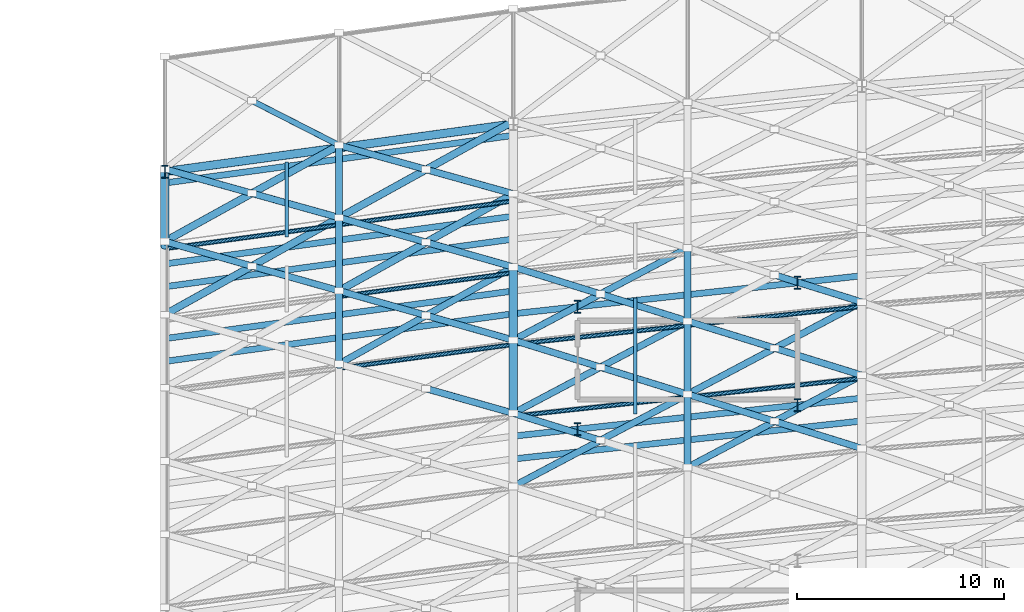
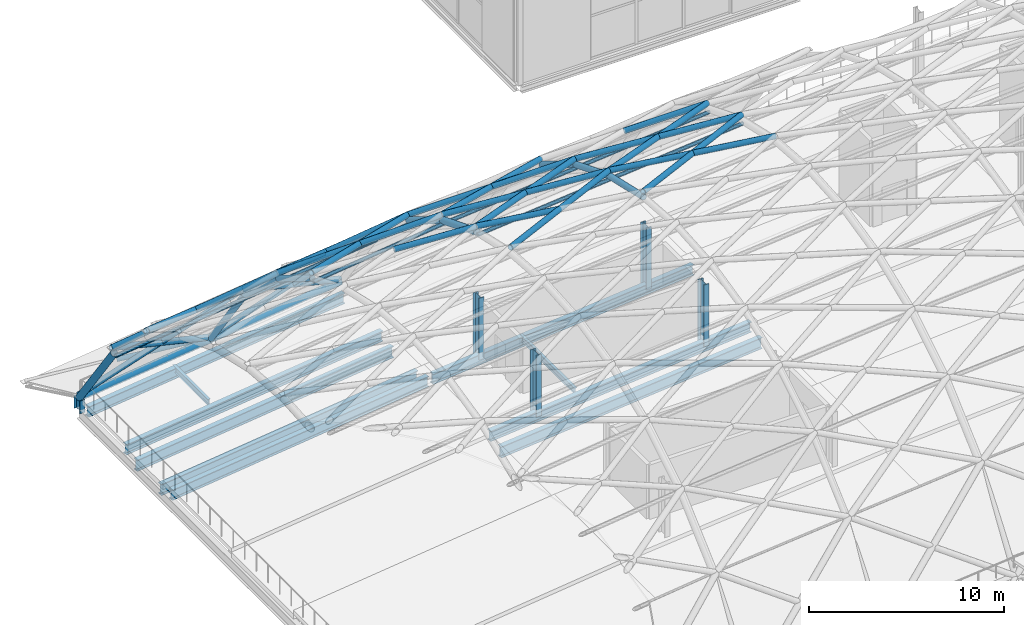
# One storey, part 23 of 100: 56 members, 10 beams.
"""IFC4 building model written with IfcOpenShell, lengths in metres."""

from ifc_helpers import new_model, si_unit, direction, frame, origin, origin_2d, place, context, subcontext, project, spatial, hollow_circle, i_section, extrude, material, material_profile, profile_set, type_object, element, save


model = new_model("IFC4")

# Units and contexts
model_context = context("Model", 3, precision=1e-05, world=origin(), true_north=direction((0.0, 1.0)))
body_context = subcontext(model_context, "Body", "Model", "MODEL_VIEW")
ifc_project = project(units=[si_unit("LENGTHUNIT", "METRE"), si_unit("AREAUNIT", "SQUARE_METRE"), si_unit("VOLUMEUNIT", "CUBIC_METRE"), si_unit("PLANEANGLEUNIT", "RADIAN"), si_unit("MASSUNIT", "GRAM", prefix="KILO")], contexts=[model_context])

# Site, building, storey
site_placement = place(None, origin())
site = spatial("IfcSite", under=ifc_project, at=site_placement, CompositionType="ELEMENT")
building_placement = place(site_placement, origin())
building = spatial("IfcBuilding", under=site, at=building_placement, Name="Kimbaza Rail Terminus", CompositionType="ELEMENT")
storey_placement = place(building_placement, frame((0.0, 0.0, 10.800048828125)))
storey = spatial("IfcBuildingStorey", under=building, at=storey_placement, Name="L02", CompositionType="ELEMENT", Elevation=10.800048828125)

# Beams
ifc_material_1 = material(Name="Steel S355", Category="steel")
ifc_material_profile_1 = material_profile(ifc_material_1, i_section(OverallWidth=0.300048828125, OverallDepth=0.64990234375, WebThickness=0.01611328125, FlangeThickness=0.031005859375, FilletRadius=0.027099609375, at=origin_2d()), Name="HEB 650")
ifc_profile_set_1 = profile_set([ifc_material_profile_1], Name="Steel S355")
beam_type_1 = type_object("IfcBeamType", Name="STR-BM-HEB650", PredefinedType="USERDEFINED", material=ifc_profile_set_1)
for number, where, z_axis, x_axis, name in (
    (1, (21.74365234375, 80.74560546875, -0.5849609375), (0.990777321611, 0.135500180745, 0.0), (-0.135500180745, 0.990777321611, 0.0), "Viaduct Chorded Girder P3 Bay 01"),
    (2, (21.74365234375, 85.445556640625, -0.5849609375), (0.990777321611, 0.135500180745, 0.0), (-0.135500180745, 0.990777321611, 0.0), "Viaduct Chorded Girder P4 Bay 01"),
    (3, (21.74365234375, 89.345703125, -0.5849609375), (0.990777321611, 0.135500180745, 0.0), (-0.135500180745, 0.990777321611, 0.0), "Viaduct Chorded Girder P4 Bay 01"),
):
    element("IfcBeam", number, at=place(storey_placement, frame(where, z_axis=z_axis, x_axis=x_axis)), inside=storey, type_object=beam_type_1, Name=name, ObjectType="GIRDER", PredefinedType="USERDEFINED", context=body_context, shape_type="SweptSolid", body=[
        extrude(i_section(OverallWidth=0.300048828125, OverallDepth=0.64990234375, WebThickness=0.01611328125, FlangeThickness=0.031005859375, FilletRadius=0.027099609375, at=origin_2d()), origin(), (0.0, 0.0, 1.0), 16.66650390625),
    ])
for number, where, z_axis, x_axis, name in (
    (4, (38.544189453125, 77.139404296875, -0.5849609375), (0.994108571086, 0.108388878093, 0.0), (-0.108388878093, 0.994108571086, 0.0), "Viaduct Chorded Girder P3 Bay 02"),
    (5, (38.544189453125, 83.039306640625, -0.5849609375), (0.994108571086, 0.108388878093, 0.0), (-0.108388878093, 0.994108571086, 0.0), "Viaduct Chorded Girder P3 Bay 02"),
):
    element("IfcBeam", number, at=place(storey_placement, frame(where, z_axis=z_axis, x_axis=x_axis)), inside=storey, type_object=beam_type_1, Name=name, ObjectType="GIRDER", PredefinedType="USERDEFINED", context=body_context, shape_type="SweptSolid", body=[
        extrude(i_section(OverallWidth=0.300048828125, OverallDepth=0.64990234375, WebThickness=0.01611328125, FlangeThickness=0.031005859375, FilletRadius=0.027099609375, at=origin_2d()), origin(), (0.0, 0.0, 1.0), 16.609619140625),
    ])
ifc_material_2 = material(Name="Steel S355", Category="steel")
ifc_material_profile_2 = material_profile(ifc_material_2, i_section(OverallWidth=0.300048828125, OverallDepth=0.699951171875, WebThickness=0.01708984375, FlangeThickness=0.031982421875, FilletRadius=0.027099609375, at=origin_2d()), Name="HEB 700")
ifc_profile_set_2 = profile_set([ifc_material_profile_2], Name="Steel S355")
beam_type_2 = type_object("IfcBeamType", Name="STR-BM-HEB700", PredefinedType="USERDEFINED", material=ifc_profile_set_2)
for number, where, z_axis, x_axis, name in (
    (6, (21.74365234375, 81.845703125, -0.920166015625), (0.990777321611, 0.135500180745, 0.0), (-0.135500180745, 0.990777321611, 0.0), "Viaduct Chorded Girder TR56 Bay 01"),
    (7, (21.74365234375, 84.345703125, -0.920166015625), (0.990777321611, 0.135500180745, 0.0), (-0.135500180745, 0.990777321611, 0.0), "Viaduct Chorded Girder TR56 Bay 01"),
):
    element("IfcBeam", number, at=place(storey_placement, frame(where, z_axis=z_axis, x_axis=x_axis)), inside=storey, type_object=beam_type_2, Name=name, ObjectType="GIRDER", PredefinedType="USERDEFINED", context=body_context, shape_type="SweptSolid", body=[
        extrude(i_section(OverallWidth=0.300048828125, OverallDepth=0.699951171875, WebThickness=0.01708984375, FlangeThickness=0.031982421875, FilletRadius=0.027099609375, at=origin_2d()), origin(), (0.0, 0.0, 1.0), 16.66650390625),
    ])
beam_1_placement = place(storey_placement, frame((38.544189453125, 76.039306640625, -0.920166015625), z_axis=(0.994108571086, 0.108388878093, 0.0), x_axis=(-0.108388878093, 0.994108571086, 0.0)))
element("IfcBeam", 8, at=beam_1_placement, inside=storey, type_object=beam_type_2, Name="Viaduct Chorded Girder TR34 Bay 02", ObjectType="GIRDER", PredefinedType="USERDEFINED", context=body_context, shape_type="SweptSolid", body=[
    extrude(i_section(OverallWidth=0.300048828125, OverallDepth=0.699951171875, WebThickness=0.01708984375, FlangeThickness=0.031982421875, FilletRadius=0.027099609375, at=origin_2d()), origin(), (0.0, 0.0, 1.0), 16.609619140625),
])
ifc_material_3 = material(Name="Steel S355", Category="steel")
ifc_material_profile_3 = material_profile(ifc_material_3, i_section(OverallWidth=0.169921875, OverallDepth=0.360107421875, WebThickness=0.008056640625, FlangeThickness=0.0126953125, FilletRadius=0.01806640625, at=origin_2d()), Name="IPE 360")
ifc_profile_set_3 = profile_set([ifc_material_profile_3], Name="Steel S355")
beam_type_3 = type_object("IfcBeamType", Name="STR-BM-IPE360", PredefinedType="JOIST", material=ifc_profile_set_3)
beam_2_placement = place(storey_placement, frame((27.47998046875, 86.7197265625, -0.43994140625), z_axis=(0.0, 1.0, 0.0), x_axis=(-1.0, 0.0, 0.0)))
element("IfcBeam", 9, at=beam_2_placement, inside=storey, type_object=beam_type_3, Name="Viaduct Diaphragm P4 Bay 01", PredefinedType="JOIST", context=body_context, shape_type="SweptSolid", body=[
    extrude(i_section(OverallWidth=0.169921875, OverallDepth=0.360107421875, WebThickness=0.008056640625, FlangeThickness=0.0126953125, FilletRadius=0.01806640625, at=origin_2d()), origin(), (0.0, 0.0, 1.0), 3.610107421875),
])
beam_3_placement = place(storey_placement, frame((44.280029296875, 78.1845703125, -0.43994140625), z_axis=(0.0, 1.0, 0.0), x_axis=(-1.0, 0.0, 0.0)))
element("IfcBeam", 10, at=beam_3_placement, inside=storey, type_object=beam_type_3, Name="Viaduct Diaphragm P3 Bay 02", PredefinedType="JOIST", context=body_context, shape_type="SweptSolid", body=[
    extrude(i_section(OverallWidth=0.169921875, OverallDepth=0.360107421875, WebThickness=0.008056640625, FlangeThickness=0.0126953125, FilletRadius=0.01806640625, at=origin_2d()), origin(), (0.0, 0.0, 1.0), 5.60986328125),
])

# Members
ifc_material_4 = material(Name="White painted steel S355", Category="steel")
ifc_material_profile_4 = material_profile(ifc_material_4, hollow_circle(Radius=0.109619140625, WallThickness=0.008056640625, at=origin_2d()), Name="CHS 219.1x8")
ifc_profile_set_4 = profile_set([ifc_material_profile_4], Name="White painted steel S355")
member_type_1 = type_object("IfcMemberType", Name="STR-MB-CHS219", PredefinedType="PURLIN", material=ifc_profile_set_4)
for number, where, z_axis, x_axis, name in (
    (11, (21.60009765625, 86.1611328125, 4.85205078125), (0.990775062808, 0.135516696087, 0.0), (-0.135516696087, 0.990775062808, 0.0), "Vault lattice longitudinal purlin VR-00-VA12"),
    (12, (30.0, 80.39599609375, 10.078857421875), (0.990778928837, 0.135488428186, 0.0), (-0.135488428186, 0.990778928837, 0.0), "Vault lattice longitudinal purlin VR-01-VA10"),
    (13, (30.0, 83.85302734375, 7.9716796875), (0.990778928837, 0.135488428186, 0.0), (-0.135488428186, 0.990778928837, 0.0), "Vault lattice longitudinal purlin VR-01-VA11"),
    (14, (30.0, 87.31005859375, 4.85205078125), (0.990778928837, 0.135488428186, 0.0), (-0.135488428186, 0.990778928837, 0.0), "Vault lattice longitudinal purlin VR-01-VA12"),
):
    element("IfcMember", number, at=place(storey_placement, frame(where, z_axis=z_axis, x_axis=x_axis)), inside=storey, type_object=member_type_1, Name=name, PredefinedType="PURLIN", context=body_context, shape_type="SweptSolid", body=[
        extrude(hollow_circle(Radius=0.109619140625, WallThickness=0.008056640625, at=origin_2d()), origin(), (0.0, 0.0, 1.0), 8.47802734375),
    ])
for number, where, z_axis, x_axis, name in (
    (15, (38.39990234375, 78.087646484375, 11.462158203125), (0.994106819652, 0.108404940487, 0.0), (-0.108404940487, 0.994106819652, 0.0), "Vault lattice longitudinal purlin VR-02-VA09"),
    (16, (38.39990234375, 81.544677734375, 10.078857421875), (0.994106819652, 0.108404940487, 0.0), (-0.108404940487, 0.994106819652, 0.0), "Vault lattice longitudinal purlin VR-02-VA10"),
):
    element("IfcMember", number, at=place(storey_placement, frame(where, z_axis=z_axis, x_axis=x_axis)), inside=storey, type_object=member_type_1, Name=name, PredefinedType="PURLIN", context=body_context, shape_type="SweptSolid", body=[
        extrude(hollow_circle(Radius=0.109619140625, WallThickness=0.008056640625, at=origin_2d()), origin(), (0.0, 0.0, 1.0), 8.449951171875),
    ])
for number, where, z_axis, x_axis, name in (
    (17, (46.800048828125, 79.003662109375, 11.462158203125), (0.99410959352, 0.108379500241, 0.0), (-0.108379500241, 0.99410959352, 0.0), "Vault lattice longitudinal purlin VR-03-VA09"),
    (18, (46.800048828125, 82.460693359375, 10.078857421875), (0.99410959352, 0.108379500241, 0.0), (-0.108379500241, 0.99410959352, 0.0), "Vault lattice longitudinal purlin VR-03-VA10"),
):
    element("IfcMember", number, at=place(storey_placement, frame(where, z_axis=z_axis, x_axis=x_axis)), inside=storey, type_object=member_type_1, Name=name, PredefinedType="PURLIN", context=body_context, shape_type="SweptSolid", body=[
        extrude(hollow_circle(Radius=0.109619140625, WallThickness=0.008056640625, at=origin_2d()), origin(), (0.0, 0.0, 1.0), 8.44970703125),
    ])
ifc_material_5 = material(Name="White painted steel S355", Category="steel")
ifc_material_profile_5 = material_profile(ifc_material_5, hollow_circle(Radius=0.136474609375, WallThickness=0.010009765625, at=origin_2d()), Name="CHS 273x10")
ifc_profile_set_5 = profile_set([ifc_material_profile_5], Name="White painted steel S355")
member_type_2 = type_object("IfcMemberType", Name="STR-MB-CHS273", PredefinedType="STRUT", material=ifc_profile_set_5)
member_1_placement = place(storey_placement, frame((30.0, 91.149169921875, 0.064208984375), z_axis=(-0.862466770419, 0.439931750882, -0.250222150274), x_axis=(-0.454386489216, -0.890804646608, 0.0)))
element("IfcMember", 19, at=member_1_placement, inside=storey, type_object=member_type_2, Name="Vault lattice diagonal B1 VR-00-VA13", PredefinedType="STRUT", context=body_context, shape_type="SweptSolid", body=[
    extrude(hollow_circle(Radius=0.136474609375, WallThickness=0.010009765625, at=origin_2d()), origin(), (0.0, 0.0, 1.0), 4.86962890625),
])
ifc_material_6 = material(Name="White painted steel S355", Category="steel")
ifc_material_profile_6 = material_profile(ifc_material_6, hollow_circle(Radius=0.161865234375, WallThickness=0.010009765625, at=origin_2d()), Name="CHS 323.9x10")
ifc_profile_set_6 = profile_set([ifc_material_profile_6], Name="White painted steel S355")
member_type_3 = type_object("IfcMemberType", Name="STR-MB-CHS323", PredefinedType="STRUT", material=ifc_profile_set_6)
for number, where, z_axis, x_axis, name in (
    (20, (30.0, 84.131591796875, 8.350341796875), (-0.904001440126, 0.255861362086, -0.342514758283), (-0.272334190538, -0.962202727425, 0.0), "Vault lattice diagonal B1 VR-00-VA11"),
    (21, (25.800048828125, 85.3203125, 6.759033203125), (-0.903989284576, 0.255910470028, -0.342510152698), (-0.272385973351, -0.962188069725, 0.0), "Vault lattice diagonal B2 VR-00-VA11"),
):
    element("IfcMember", number, at=place(storey_placement, frame(where, z_axis=z_axis, x_axis=x_axis)), inside=storey, type_object=member_type_3, Name=name, PredefinedType="STRUT", context=body_context, shape_type="SweptSolid", body=[
        extrude(hollow_circle(Radius=0.161865234375, WallThickness=0.010009765625, at=origin_2d()), origin(), (0.0, 0.0, 1.0), 4.64599609375),
    ])
for number, where, z_axis, x_axis, name in (
    (22, (30.0, 87.658203125, 5.167724609375), (-0.831345415058, 0.231817936176, -0.50509924305), (-0.268599628329, -0.963251908724, 0.0), "Vault lattice diagonal B1 VR-00-VA12"),
    (23, (25.800048828125, 88.829345703125, 2.615966796875), (-0.831345415058, 0.231817936176, -0.50509924305), (-0.268599628329, -0.963251908724, 0.0), "Vault lattice diagonal B2 VR-00-VA12"),
):
    element("IfcMember", number, at=place(storey_placement, frame(where, z_axis=z_axis, x_axis=x_axis)), inside=storey, type_object=member_type_3, Name=name, PredefinedType="STRUT", context=body_context, shape_type="SweptSolid", body=[
        extrude(hollow_circle(Radius=0.161865234375, WallThickness=0.010009765625, at=origin_2d()), origin(), (0.0, 0.0, 1.0), 5.052001953125),
    ])
member_2_placement = place(storey_placement, frame((38.39990234375, 78.226806640625, 11.9111328125), z_axis=(-0.949859093603, 0.268895761544, -0.159570585393), x_axis=(-0.272385973351, -0.962188069725, 0.0)))
element("IfcMember", 24, at=member_2_placement, inside=storey, type_object=member_type_3, Name="Vault lattice diagonal B1 VR-01-VA09", PredefinedType="STRUT", context=body_context, shape_type="SweptSolid", body=[
    extrude(hollow_circle(Radius=0.161865234375, WallThickness=0.010009765625, at=origin_2d()), origin(), (0.0, 0.0, 1.0), 4.421630859375),
])
member_3_placement = place(storey_placement, frame((30.0, 80.604736328125, 10.499755859375), z_axis=(0.852709514582, 0.474633491651, -0.218196086914), x_axis=(-0.486352172507, 0.87376287647, 0.0)))
element("IfcMember", 25, at=member_3_placement, inside=storey, type_object=member_type_3, Name="Vault lattice diagonal A VR-01-VA10", PredefinedType="STRUT", context=body_context, shape_type="SweptSolid", body=[
    extrude(hollow_circle(Radius=0.161865234375, WallThickness=0.010009765625, at=origin_2d()), origin(), (0.0, 0.0, 1.0), 9.850830078125),
])
for number, where, z_axis, x_axis, name in (
    (26, (38.39990234375, 81.753662109375, 10.499755859375), (-0.934286738554, 0.264487381082, -0.239070523927), (-0.272385973351, -0.962188069725, 0.0), "Vault lattice diagonal B1 VR-01-VA10"),
    (27, (34.199951171875, 82.942626953125, 9.425048828125), (-0.934286738554, 0.264487381082, -0.239070523927), (-0.272385973351, -0.962188069725, 0.0), "Vault lattice diagonal B2 VR-01-VA10"),
):
    element("IfcMember", number, at=place(storey_placement, frame(where, z_axis=z_axis, x_axis=x_axis)), inside=storey, type_object=member_type_3, Name=name, PredefinedType="STRUT", context=body_context, shape_type="SweptSolid", body=[
        extrude(hollow_circle(Radius=0.161865234375, WallThickness=0.010009765625, at=origin_2d()), origin(), (0.0, 0.0, 1.0), 4.495361328125),
    ])
for number, where, z_axis, x_axis, name in (
    (28, (38.39990234375, 85.2802734375, 8.350341796875), (-0.903989284576, 0.255910470028, -0.342510152698), (-0.272385973351, -0.962188069725, 0.0), "Vault lattice diagonal B1 VR-01-VA11"),
    (29, (34.199951171875, 86.46923828125, 6.759033203125), (-0.903989284576, 0.255910470028, -0.342510152698), (-0.272385973351, -0.962188069725, 0.0), "Vault lattice diagonal B2 VR-01-VA11"),
):
    element("IfcMember", number, at=place(storey_placement, frame(where, z_axis=z_axis, x_axis=x_axis)), inside=storey, type_object=member_type_3, Name=name, PredefinedType="STRUT", context=body_context, shape_type="SweptSolid", body=[
        extrude(hollow_circle(Radius=0.161865234375, WallThickness=0.010009765625, at=origin_2d()), origin(), (0.0, 0.0, 1.0), 4.64599609375),
    ])
for number, where, z_axis, x_axis, name in (
    (30, (38.39990234375, 88.806884765625, 5.167724609375), (-0.831345415058, 0.231817936176, -0.50509924305), (-0.268599628329, -0.963251908724, 0.0), "Vault lattice diagonal B1 VR-01-VA12"),
    (31, (34.199951171875, 89.97802734375, 2.615966796875), (-0.831345415058, 0.231817936176, -0.50509924305), (-0.268599628329, -0.963251908724, 0.0), "Vault lattice diagonal B2 VR-01-VA12"),
):
    element("IfcMember", number, at=place(storey_placement, frame(where, z_axis=z_axis, x_axis=x_axis)), inside=storey, type_object=member_type_3, Name=name, PredefinedType="STRUT", context=body_context, shape_type="SweptSolid", body=[
        extrude(hollow_circle(Radius=0.161865234375, WallThickness=0.010009765625, at=origin_2d()), origin(), (0.0, 0.0, 1.0), 5.052001953125),
    ])
member_4_placement = place(storey_placement, frame((38.39990234375, 74.7001953125, 12.71728515625), z_axis=(0.880820136379, 0.465843695227, -0.084531289863), x_axis=(-0.467517020332, 0.883984069823, 0.0)))
element("IfcMember", 32, at=member_4_placement, inside=storey, type_object=member_type_3, Name="Vault lattice diagonal A VR-02-VA08", PredefinedType="STRUT", context=body_context, shape_type="SweptSolid", body=[
    extrude(hollow_circle(Radius=0.161865234375, WallThickness=0.010009765625, at=origin_2d()), origin(), (0.0, 0.0, 1.0), 9.53662109375),
])
member_5_placement = place(storey_placement, frame((42.60009765625, 76.921630859375, 12.314208984375), z_axis=(-0.950971763469, 0.295506571001, -0.091261007992), x_axis=(-0.296744885248, -0.95495679121, 0.0)))
element("IfcMember", 33, at=member_5_placement, inside=storey, type_object=member_type_3, Name="Vault lattice diagonal B2 VR-02-VA08", PredefinedType="STRUT", context=body_context, shape_type="SweptSolid", body=[
    extrude(hollow_circle(Radius=0.161865234375, WallThickness=0.010009765625, at=origin_2d()), origin(), (0.0, 0.0, 1.0), 4.416748046875),
])
member_6_placement = place(storey_placement, frame((38.39990234375, 78.226806640625, 11.9111328125), z_axis=(0.874392229098, 0.462444136161, -0.14691375233), x_axis=(-0.467517020332, 0.883984069823, 0.0)))
element("IfcMember", 34, at=member_6_placement, inside=storey, type_object=member_type_3, Name="Vault lattice diagonal A VR-02-VA09", PredefinedType="STRUT", context=body_context, shape_type="SweptSolid", body=[
    extrude(hollow_circle(Radius=0.161865234375, WallThickness=0.010009765625, at=origin_2d()), origin(), (0.0, 0.0, 1.0), 9.60693359375),
])
member_7_placement = place(storey_placement, frame((46.800048828125, 79.142822265625, 11.9111328125), z_axis=(-0.942880399935, 0.293064087569, -0.158398207046), x_axis=(-0.296811236638, -0.95493617054, 0.0)))
element("IfcMember", 35, at=member_7_placement, inside=storey, type_object=member_type_3, Name="Vault lattice diagonal B1 VR-02-VA09", PredefinedType="STRUT", context=body_context, shape_type="SweptSolid", body=[
    extrude(hollow_circle(Radius=0.161865234375, WallThickness=0.010009765625, at=origin_2d()), origin(), (0.0, 0.0, 1.0), 4.454345703125),
])
member_8_placement = place(storey_placement, frame((42.60009765625, 80.4482421875, 11.20556640625), z_axis=(-0.942878295703, 0.293046398926, -0.158443452271), x_axis=(-0.29679550395, -0.954941060399, 0.0)))
element("IfcMember", 36, at=member_8_placement, inside=storey, type_object=member_type_3, Name="Vault lattice diagonal B2 VR-02-VA09", PredefinedType="STRUT", context=body_context, shape_type="SweptSolid", body=[
    extrude(hollow_circle(Radius=0.161865234375, WallThickness=0.010009765625, at=origin_2d()), origin(), (0.0, 0.0, 1.0), 4.45458984375),
])
member_9_placement = place(storey_placement, frame((38.39990234375, 81.753662109375, 10.499755859375), z_axis=(0.862202786726, 0.455997445579, -0.220618866345), x_axis=(-0.467517020332, 0.883984069823, 0.0)))
element("IfcMember", 37, at=member_9_placement, inside=storey, type_object=member_type_3, Name="Vault lattice diagonal A VR-02-VA10", PredefinedType="STRUT", context=body_context, shape_type="SweptSolid", body=[
    extrude(hollow_circle(Radius=0.161865234375, WallThickness=0.010009765625, at=origin_2d()), origin(), (0.0, 0.0, 1.0), 9.74267578125),
])
member_10_placement = place(storey_placement, frame((46.800048828125, 82.66943359375, 10.499755859375), z_axis=(-0.927643307476, 0.288328126785, -0.237370565571), x_axis=(-0.296811236638, -0.95493617054, 0.0)))
element("IfcMember", 38, at=member_10_placement, inside=storey, type_object=member_type_3, Name="Vault lattice diagonal B1 VR-02-VA10", PredefinedType="STRUT", context=body_context, shape_type="SweptSolid", body=[
    extrude(hollow_circle(Radius=0.161865234375, WallThickness=0.010009765625, at=origin_2d()), origin(), (0.0, 0.0, 1.0), 4.527587890625),
])
member_11_placement = place(storey_placement, frame((42.60009765625, 83.974853515625, 9.425048828125), z_axis=(-0.927650828027, 0.288313704805, -0.237358692454), x_axis=(-0.29679550395, -0.954941060399, 0.0)))
element("IfcMember", 39, at=member_11_placement, inside=storey, type_object=member_type_3, Name="Vault lattice diagonal B2 VR-02-VA10", PredefinedType="STRUT", context=body_context, shape_type="SweptSolid", body=[
    extrude(hollow_circle(Radius=0.161865234375, WallThickness=0.010009765625, at=origin_2d()), origin(), (0.0, 0.0, 1.0), 4.52783203125),
])
member_12_placement = place(storey_placement, frame((46.800048828125, 75.6162109375, 12.71728515625), z_axis=(0.880814397788, 0.465854199749, -0.084533195998), x_axis=(-0.46752763846, 0.883978454079, 0.0)))
element("IfcMember", 40, at=member_12_placement, inside=storey, type_object=member_type_3, Name="Vault lattice diagonal A VR-03-VA08", PredefinedType="STRUT", context=body_context, shape_type="SweptSolid", body=[
    extrude(hollow_circle(Radius=0.161865234375, WallThickness=0.010009765625, at=origin_2d()), origin(), (0.0, 0.0, 1.0), 9.53662109375),
])
for number, where, z_axis, x_axis, name in (
    (41, (55.199951171875, 76.531982421875, 12.71728515625), (-0.950950939485, 0.295572555567, -0.091264314427), (-0.296811236638, -0.95493617054, 0.0), "Vault lattice diagonal B1 VR-03-VA08"),
    (42, (51.0, 77.83740234375, 12.314208984375), (-0.950950939485, 0.295572555567, -0.091264314427), (-0.296811236638, -0.95493617054, 0.0), "Vault lattice diagonal B2 VR-03-VA08"),
):
    element("IfcMember", number, at=place(storey_placement, frame(where, z_axis=z_axis, x_axis=x_axis)), inside=storey, type_object=member_type_3, Name=name, PredefinedType="STRUT", context=body_context, shape_type="SweptSolid", body=[
        extrude(hollow_circle(Radius=0.161865234375, WallThickness=0.010009765625, at=origin_2d()), origin(), (0.0, 0.0, 1.0), 4.41650390625),
    ])
member_13_placement = place(storey_placement, frame((46.800048828125, 79.142822265625, 11.9111328125), z_axis=(0.874386245658, 0.462454412377, -0.146917016978), x_axis=(-0.46752763846, 0.883978454079, 0.0)))
element("IfcMember", 43, at=member_13_placement, inside=storey, type_object=member_type_3, Name="Vault lattice diagonal A VR-03-VA09", PredefinedType="STRUT", context=body_context, shape_type="SweptSolid", body=[
    extrude(hollow_circle(Radius=0.161865234375, WallThickness=0.010009765625, at=origin_2d()), origin(), (0.0, 0.0, 1.0), 9.606689453125),
])
for number, where, z_axis, x_axis, name in (
    (44, (55.199951171875, 80.058837890625, 11.9111328125), (-0.942880399935, 0.293064087569, -0.158398207046), (-0.296811236638, -0.95493617054, 0.0), "Vault lattice diagonal B1 VR-03-VA09"),
    (45, (51.0, 81.3642578125, 11.20556640625), (-0.942887356496, 0.29301144032, -0.158454185179), (-0.296760615771, -0.954951902939, 0.0), "Vault lattice diagonal B2 VR-03-VA09"),
):
    element("IfcMember", number, at=place(storey_placement, frame(where, z_axis=z_axis, x_axis=x_axis)), inside=storey, type_object=member_type_3, Name=name, PredefinedType="STRUT", context=body_context, shape_type="SweptSolid", body=[
        extrude(hollow_circle(Radius=0.161865234375, WallThickness=0.010009765625, at=origin_2d()), origin(), (0.0, 0.0, 1.0), 4.454345703125),
    ])
member_14_placement = place(storey_placement, frame((55.199951171875, 83.58544921875, 10.499755859375), z_axis=(-0.927643307476, 0.288328126785, -0.237370565571), x_axis=(-0.296811236638, -0.95493617054, 0.0)))
element("IfcMember", 46, at=member_14_placement, inside=storey, type_object=member_type_3, Name="Vault lattice diagonal B1 VR-03-VA10", PredefinedType="STRUT", context=body_context, shape_type="SweptSolid", body=[
    extrude(hollow_circle(Radius=0.161865234375, WallThickness=0.010009765625, at=origin_2d()), origin(), (0.0, 0.0, 1.0), 4.527587890625),
])
ifc_material_7 = material(Name="White painted steel S355", Category="steel")
ifc_material_profile_7 = material_profile(ifc_material_7, hollow_circle(Radius=0.177734375, WallThickness=0.012451171875, at=origin_2d()), Name="CHS 355.6x12.5")
ifc_profile_set_7 = profile_set([ifc_material_profile_7], Name="White painted steel S355")
member_type_4 = type_object("IfcMemberType", Name="STR-MB-CHS355", PredefinedType="CHORD", material=ifc_profile_set_7)
member_15_placement = place(storey_placement, frame((30.0, 80.471435546875, 10.23095703125), z_axis=(0.0, 0.853901304322, -0.520434974302), x_axis=(-1.0, 0.0, 0.0)))
element("IfcMember", 47, at=member_15_placement, inside=storey, type_object=member_type_4, Name="Vault lattice arch chord VR-01 seg 11", PredefinedType="CHORD", context=body_context, shape_type="SweptSolid", body=[
    extrude(hollow_circle(Radius=0.177734375, WallThickness=0.012451171875, at=origin_2d()), origin(), (0.0, 0.0, 1.0), 4.077880859375),
])
member_16_placement = place(storey_placement, frame((30.0, 83.95361328125, 8.108642578125), z_axis=(0.0, 0.742403219767, -0.669953326195), x_axis=(-1.0, 0.0, 0.0)))
element("IfcMember", 48, at=member_16_placement, inside=storey, type_object=member_type_4, Name="Vault lattice arch chord VR-01 seg 12", PredefinedType="CHORD", context=body_context, shape_type="SweptSolid", body=[
    extrude(hollow_circle(Radius=0.177734375, WallThickness=0.012451171875, at=origin_2d()), origin(), (0.0, 0.0, 1.0), 4.690673828125),
])
member_17_placement = place(storey_placement, frame((30.0, 87.43603515625, 4.966064453125), z_axis=(0.0, 0.585733481953, -0.810503724926), x_axis=(-1.0, 0.0, 0.0)))
element("IfcMember", 49, at=member_17_placement, inside=storey, type_object=member_type_4, Name="Vault lattice arch chord VR-01 seg 13", PredefinedType="CHORD", context=body_context, shape_type="SweptSolid", body=[
    extrude(hollow_circle(Radius=0.177734375, WallThickness=0.012451171875, at=origin_2d()), origin(), (0.0, 0.0, 1.0), 6.127197265625),
])
member_18_placement = place(storey_placement, frame((46.800048828125, 75.57177734375, 12.420654296875), z_axis=(0.0, 0.974845354939, -0.22288233208), x_axis=(-1.0, 0.0, 0.0)))
element("IfcMember", 50, at=member_18_placement, inside=storey, type_object=member_type_4, Name="Vault lattice arch chord VR-03 seg 9", PredefinedType="CHORD", context=body_context, shape_type="SweptSolid", body=[
    extrude(hollow_circle(Radius=0.177734375, WallThickness=0.012451171875, at=origin_2d()), origin(), (0.0, 0.0, 1.0), 3.572021484375),
])
member_19_placement = place(storey_placement, frame((46.800048828125, 79.053955078125, 11.62451171875), z_axis=(0.0, 0.928413829694, -0.37154779078), x_axis=(-1.0, 0.0, 0.0)))
element("IfcMember", 51, at=member_19_placement, inside=storey, type_object=member_type_4, Name="Vault lattice arch chord VR-03 seg 10", PredefinedType="CHORD", context=body_context, shape_type="SweptSolid", body=[
    extrude(hollow_circle(Radius=0.177734375, WallThickness=0.012451171875, at=origin_2d()), origin(), (0.0, 0.0, 1.0), 3.750732421875),
])
member_20_placement = place(storey_placement, frame((46.800048828125, 82.5361328125, 10.23095703125), z_axis=(0.0, 0.853901304322, -0.520434974302), x_axis=(-1.0, 0.0, 0.0)))
element("IfcMember", 52, at=member_20_placement, inside=storey, type_object=member_type_4, Name="Vault lattice arch chord VR-03 seg 11", PredefinedType="CHORD", context=body_context, shape_type="SweptSolid", body=[
    extrude(hollow_circle(Radius=0.177734375, WallThickness=0.012451171875, at=origin_2d()), origin(), (0.0, 0.0, 1.0), 4.077880859375),
])
member_21_placement = place(storey_placement, frame((21.60009765625, 82.982666015625, 8.350341796875), z_axis=(0.829488778461, 0.461708411216, -0.314282849387), x_axis=(-0.486352172507, 0.87376287647, 0.0)))
element("IfcMember", 53, at=member_21_placement, inside=storey, type_object=member_type_4, Name="Vault lattice diagonal A VR-00-VA11", PredefinedType="CHORD", context=body_context, shape_type="SweptSolid", body=[
    extrude(hollow_circle(Radius=0.177734375, WallThickness=0.012451171875, at=origin_2d()), origin(), (0.0, 0.0, 1.0), 10.126708984375),
])
member_22_placement = place(storey_placement, frame((21.60009765625, 86.50927734375, 5.167724609375), z_axis=(0.772838813652, 0.426896519603, -0.469552478073), x_axis=(-0.483513775644, 0.875336751635, 0.0)))
element("IfcMember", 54, at=member_22_placement, inside=storey, type_object=member_type_4, Name="Vault lattice diagonal A VR-00-VA12", PredefinedType="CHORD", context=body_context, shape_type="SweptSolid", body=[
    extrude(hollow_circle(Radius=0.177734375, WallThickness=0.012451171875, at=origin_2d()), origin(), (0.0, 0.0, 1.0), 10.868896484375),
])
member_23_placement = place(storey_placement, frame((30.0, 84.131591796875, 8.350341796875), z_axis=(0.829498011625, 0.461689441453, -0.314286347717), x_axis=(-0.486332783542, 0.873773668436, 0.0)))
element("IfcMember", 55, at=member_23_placement, inside=storey, type_object=member_type_4, Name="Vault lattice diagonal A VR-01-VA11", PredefinedType="CHORD", context=body_context, shape_type="SweptSolid", body=[
    extrude(hollow_circle(Radius=0.177734375, WallThickness=0.012451171875, at=origin_2d()), origin(), (0.0, 0.0, 1.0), 10.12646484375),
])
member_24_placement = place(storey_placement, frame((30.0, 87.658203125, 5.167724609375), z_axis=(0.772838813652, 0.426896519603, -0.469552478073), x_axis=(-0.483513775644, 0.875336751635, 0.0)))
element("IfcMember", 56, at=member_24_placement, inside=storey, type_object=member_type_4, Name="Vault lattice diagonal A VR-01-VA12", PredefinedType="CHORD", context=body_context, shape_type="SweptSolid", body=[
    extrude(hollow_circle(Radius=0.177734375, WallThickness=0.012451171875, at=origin_2d()), origin(), (0.0, 0.0, 1.0), 10.868896484375),
])
ifc_material_8 = material(Name="White painted steel S355", Category="steel")
ifc_material_profile_8 = material_profile(ifc_material_8, hollow_circle(Radius=0.203125, WallThickness=0.01416015625, at=origin_2d()), Name="CHS 406.4x14.2")
ifc_profile_set_8 = profile_set([ifc_material_profile_8], Name="White painted steel S355")
member_type_5 = type_object("IfcMemberType", Name="STR-MB-CHS406", PredefinedType="CHORD", material=ifc_profile_set_8)
member_25_placement = place(storey_placement, frame((21.60009765625, 86.287109375, 4.966064453125), z_axis=(0.0, 0.585733481953, -0.810503724926), x_axis=(-1.0, 0.0, 0.0)))
element("IfcMember", 57, at=member_25_placement, inside=storey, type_object=member_type_5, Name="Vault lattice arch chord VR-00 seg 13", PredefinedType="CHORD", context=body_context, shape_type="SweptSolid", body=[
    extrude(hollow_circle(Radius=0.203125, WallThickness=0.01416015625, at=origin_2d()), origin(), (0.0, 0.0, 1.0), 6.127197265625),
])
member_26_placement = place(storey_placement, frame((38.39990234375, 78.137939453125, 11.62451171875), z_axis=(0.0, 0.928422814748, -0.371525338375), x_axis=(-1.0, 0.0, 0.0)))
element("IfcMember", 58, at=member_26_placement, inside=storey, type_object=member_type_5, Name="Vault lattice arch chord VR-02 seg 10", PredefinedType="CHORD", context=body_context, shape_type="SweptSolid", body=[
    extrude(hollow_circle(Radius=0.203125, WallThickness=0.01416015625, at=origin_2d()), origin(), (0.0, 0.0, 1.0), 3.7509765625),
])
member_27_placement = place(storey_placement, frame((38.39990234375, 81.620361328125, 10.23095703125), z_axis=(0.0, 0.853901304322, -0.520434974302), x_axis=(-1.0, 0.0, 0.0)))
element("IfcMember", 59, at=member_27_placement, inside=storey, type_object=member_type_5, Name="Vault lattice arch chord VR-02 seg 11", PredefinedType="CHORD", context=body_context, shape_type="SweptSolid", body=[
    extrude(hollow_circle(Radius=0.203125, WallThickness=0.01416015625, at=origin_2d()), origin(), (0.0, 0.0, 1.0), 4.077880859375),
])
for number, where, z_axis, x_axis, name in (
    (60, (21.60009765625, 89.8759765625, 0.0), (0.990775062808, 0.135516696087, 0.0), (-0.135516696087, 0.990775062808, 0.0), "Vault lattice springing ring chord VR-00"),
    (61, (30.0, 91.02490234375, 0.0), (0.990778928837, 0.135488428186, 0.0), (-0.135488428186, 0.990778928837, 0.0), "Vault lattice springing ring chord VR-01"),
):
    element("IfcMember", number, at=place(storey_placement, frame(where, z_axis=z_axis, x_axis=x_axis)), inside=storey, type_object=member_type_5, Name=name, PredefinedType="CHORD", context=body_context, shape_type="SweptSolid", body=[
        extrude(hollow_circle(Radius=0.203125, WallThickness=0.01416015625, at=origin_2d()), origin(), (0.0, 0.0, 1.0), 8.47802734375),
    ])
ifc_material_9 = material(Name="Steel S355", Category="steel")
ifc_material_profile_9 = material_profile(ifc_material_9, i_section(OverallWidth=0.304931640625, OverallDepth=0.6201171875, WebThickness=0.02099609375, FlangeThickness=0.0400390625, FilletRadius=0.027099609375, at=origin_2d()), Name="HEM 600")
ifc_profile_set_9 = profile_set([ifc_material_profile_9], Name="Steel S355")
member_type_6 = type_object("IfcMemberType", Name="STR-MB-HEM600", PredefinedType="POST", material=ifc_profile_set_9)
member_28_placement = place(storey_placement, frame((21.60009765625, 89.8759765625, -0.800048828125), z_axis=(0.0, 0.0, 1.0), x_axis=(1.0, 0.0, 0.0)))
element("IfcMember", 62, at=member_28_placement, inside=storey, type_object=member_type_6, Name="Vault Springing Shoe Pedestal N VP-01", PredefinedType="POST", context=body_context, shape_type="SweptSolid", body=[
    extrude(i_section(OverallWidth=0.304931640625, OverallDepth=0.6201171875, WebThickness=0.02099609375, FlangeThickness=0.0400390625, FilletRadius=0.027099609375, at=origin_2d()), origin(), (0.0, 0.0, 1.0), 0.800048828125),
])
for number, where, z_axis, x_axis, name in (
    (63, (41.5, 77.461669921875, -0.449951171875), (0.0, 0.0, 1.0), (1.0, 0.0, 0.0), "Island Platform 4-5 Air-Conditioned Waiting Lounge 2 Corner Post 1"),
    (64, (52.10009765625, 78.617431640625, -0.449951171875), (0.0, 0.0, 1.0), (1.0, 0.0, 0.0), "Island Platform 4-5 Air-Conditioned Waiting Lounge 2 Corner Post 2"),
    (65, (52.10009765625, 84.517333984375, -0.449951171875), (0.0, 0.0, 1.0), (1.0, 0.0, 0.0), "Island Platform 4-5 Air-Conditioned Waiting Lounge 2 Corner Post 3"),
    (66, (41.5, 83.361572265625, -0.449951171875), (0.0, 0.0, 1.0), (1.0, 0.0, 0.0), "Island Platform 4-5 Air-Conditioned Waiting Lounge 2 Corner Post 4"),
):
    element("IfcMember", number, at=place(storey_placement, frame(where, z_axis=z_axis, x_axis=x_axis)), inside=storey, type_object=member_type_6, Name=name, PredefinedType="POST", context=body_context, shape_type="SweptSolid", body=[
        extrude(i_section(OverallWidth=0.304931640625, OverallDepth=0.6201171875, WebThickness=0.02099609375, FlangeThickness=0.0400390625, FilletRadius=0.027099609375, at=origin_2d()), origin(), (0.0, 0.0, 1.0), 3.869873046875),
    ])

save(model, "model.ifc")
